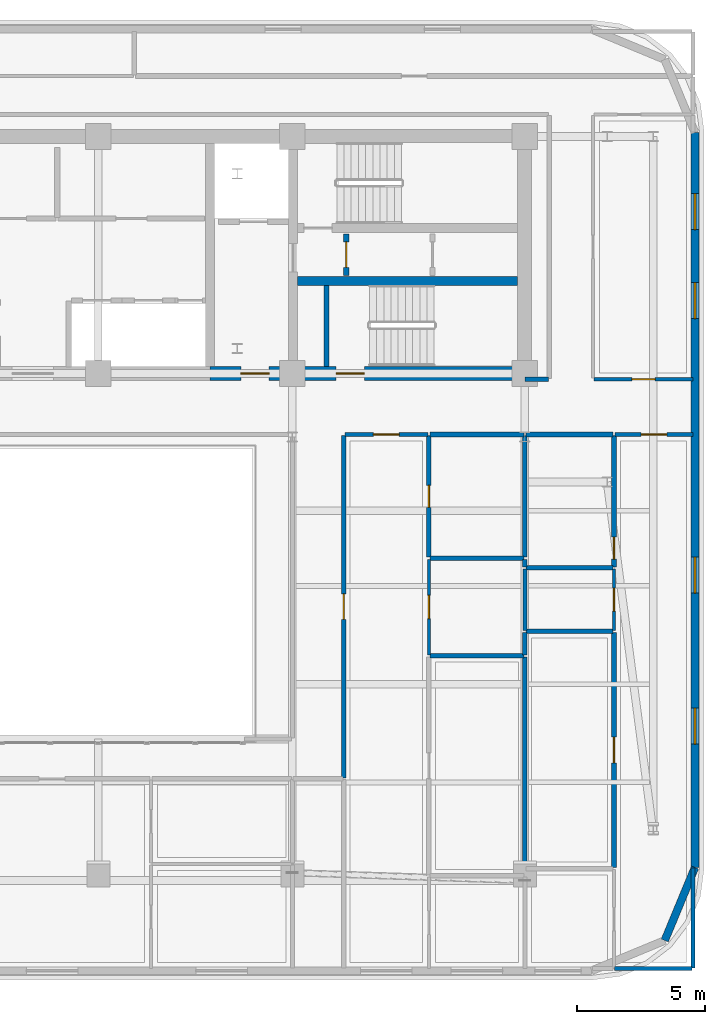
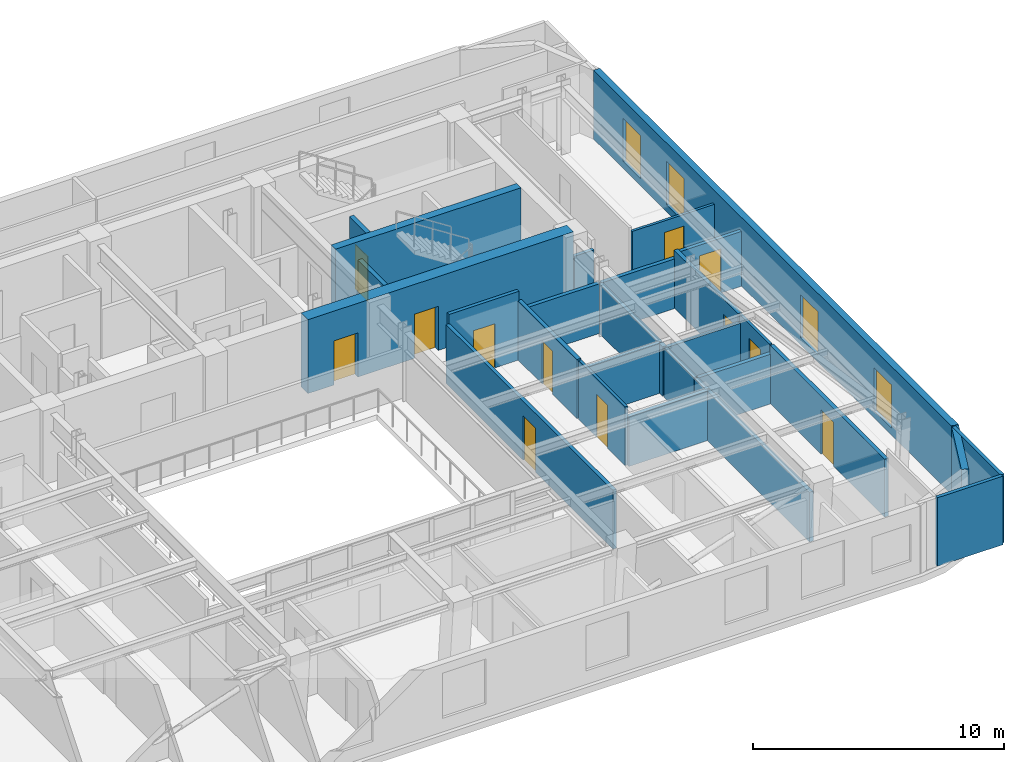
# One storey, part 9 of 15: 29 walls, 12 doors, 4 windows, 16 openings.
"""IFC4 building model written with IfcOpenShell, lengths in metres."""

from ifc_helpers import new_model, si_unit, direction, frame, frame_2d, origin, place, context, subcontext, project, spatial, rectangle, extrude, material, layer, layer_set, type_object, element, fill, save


model = new_model("IFC4")

# Units and contexts
model_context = context("Model", 3, precision=1e-05, world=origin(), true_north=direction((0.0, 1.0)))
body_context = subcontext(model_context, "Body", "Model", "MODEL_VIEW")
ifc_project = project(units=[si_unit("LENGTHUNIT", "METRE"), si_unit("AREAUNIT", "SQUARE_METRE"), si_unit("VOLUMEUNIT", "CUBIC_METRE"), si_unit("PLANEANGLEUNIT", "RADIAN"), si_unit("MASSUNIT", "GRAM", prefix="KILO")], contexts=[model_context])

# Site, building, storey
site_placement = place(None, origin())
site = spatial("IfcSite", under=ifc_project, at=site_placement, CompositionType="ELEMENT")
building_placement = place(site_placement, origin())
building = spatial("IfcBuilding", under=site, at=building_placement, Name="Zarnavel Station Tower", CompositionType="ELEMENT")
storey_placement = place(building_placement, frame((0.0, 0.0, 196.800048828125)))
storey = spatial("IfcBuildingStorey", under=building, at=storey_placement, Name="L53", CompositionType="ELEMENT", Elevation=196.800048828125)

# Wall
ifc_material_1 = material(Name="Concrete C50/60", Category="concrete")
ifc_layer_1 = layer(ifc_material_1, 0.35009765625)
ifc_layer_set_1 = layer_set([ifc_layer_1], Name="CW_350")
wall_type_1 = type_object("IfcWallType", Name="CW_350", PredefinedType="SHEAR", material=ifc_layer_set_1)
wall_1_placement = place(storey_placement, frame((36.554931640625, 31.419921875, 0.0), z_axis=(0.0, 0.0, 1.0), x_axis=(1.0, 0.0, 0.0)))
element("IfcWall", 1, at=wall_1_placement, inside=storey, type_object=wall_type_1, Name="L53 Rear Core Shear Wall DIV-H3", PredefinedType="SHEAR", context=body_context, shape_type="SweptSolid", body=[
    extrude(rectangle(XDim=8.550048828125, YDim=0.35009765625, at=frame_2d((4.27490234375, 0.0))), origin(), (0.0, 0.0, 1.0), 3.599853515625),
])

# Wall, openings, doors
ifc_material_2 = material(Name="Concrete C50/60", Category="concrete")
ifc_layer_2 = layer(ifc_material_2, 0.550048828125)
ifc_layer_set_2 = layer_set([ifc_layer_2], Name="CW_550")
wall_type_2 = type_object("IfcWallType", Name="CW_550", PredefinedType="SHEAR", material=ifc_layer_set_2)
wall_2_placement = place(storey_placement, frame((45.3798828125, 27.820068359375, 0.0), z_axis=(0.0, 0.0, 1.0), x_axis=(-1.0, 0.0, 0.0)))
wall_2 = element("IfcWall", 2, at=wall_2_placement, inside=storey, type_object=wall_type_2, Name="L53 Rear Core Shear Wall S-E", PredefinedType="SHEAR", context=body_context, shape_type="SweptSolid", body=[
    extrude(rectangle(XDim=12.22998046875, YDim=0.550048828125, at=frame_2d((6.114990234375, 0.0))), origin(), (0.0, 0.0, 1.0), 3.599853515625),
])
opening_1_placement = place(wall_2_placement, frame((9.929931640625, 0.0, 0.0)))
opening_1 = element("IfcOpeningElement", 3, at=opening_1_placement, cuts=wall_2, Name="Opening FD01", PredefinedType="OPENING", context=body_context, shape_type="SweptSolid", body=[
    extrude(rectangle(XDim=1.10009765625, YDim=2.14990234375, at=frame_2d((0.550048828125, 1.074951171875))), frame((0.0, 0.284912109375, 0.0), z_axis=(0.0, -1.0, 0.0), x_axis=(1.0, 0.0, 0.0)), (0.0, 0.0, 1.0), 0.570068359375),
])
opening_2_placement = place(wall_2_placement, frame((6.22998046875, 0.0, 0.0)))
opening_2 = element("IfcOpeningElement", 4, at=opening_2_placement, cuts=wall_2, Name="Opening FD01", PredefinedType="OPENING", context=body_context, shape_type="SweptSolid", body=[
    extrude(rectangle(XDim=1.10009765625, YDim=2.14990234375, at=frame_2d((0.550048828125, 1.074951171875))), frame((0.0, 0.284912109375, 0.0), z_axis=(0.0, -1.0, 0.0), x_axis=(1.0, 0.0, 0.0)), (0.0, 0.0, 1.0), 0.570068359375),
])
ifc_material_3 = material(Name="Painted Galvanised Steel and Hardwood Leaf", Category="steel")
door_type_1 = type_object("IfcDoorType", Name="ID_STAIR_1100", OperationType="NOTDEFINED", PredefinedType="DOOR", material=ifc_material_3)
door_1_placement = place(opening_1_placement, origin())
door_1 = element("IfcDoor", 5, at=door_1_placement, inside=storey, type_object=door_type_1, Name="L53 East Firefighting Lobby Door", OperationType="SINGLE_SWING_LEFT", OverallHeight=2.14990234375, OverallWidth=1.10009765625, PredefinedType="DOOR", context=body_context, shape_type="SweptSolid", body=[
    extrude(rectangle(XDim=1.10009765625, YDim=2.14990234375, at=frame_2d((0.550048828125, 1.074951171875))), frame((0.0, 0.02490234375, 0.0), z_axis=(0.0, -1.0, 0.0), x_axis=(1.0, 0.0, 0.0)), (0.0, 0.0, 1.0), 0.050048828125),
])
fill(opening_1, door_1)
door_2_placement = place(opening_2_placement, origin())
door_2 = element("IfcDoor", 6, at=door_2_placement, inside=storey, type_object=door_type_1, Name="L53 Stair ST3 Corridor Fire Door", OperationType="SINGLE_SWING_RIGHT", OverallHeight=2.14990234375, OverallWidth=1.10009765625, PredefinedType="DOOR", context=body_context, shape_type="SweptSolid", body=[
    extrude(rectangle(XDim=1.10009765625, YDim=2.14990234375, at=frame_2d((0.550048828125, 1.074951171875))), frame((0.0, 0.02490234375, 0.0), z_axis=(0.0, -1.0, 0.0), x_axis=(1.0, 0.0, 0.0)), (0.0, 0.0, 1.0), 0.050048828125),
])
fill(opening_2, door_2)

# Wall
ifc_material_4 = material(Name="Precast concrete C45/55 (Dark Basalt Finish)", Category="masonry")
ifc_layer_3 = layer(ifc_material_4, 0.300048828125)
ifc_layer_set_3 = layer_set([ifc_layer_3], Name="EW_BASALT_300")
wall_type_3 = type_object("IfcWallType", Name="EW_BASALT_300", PredefinedType="SOLIDWALL", material=ifc_layer_set_3)
wall_3_placement = place(storey_placement, frame((52.02001953125, 8.60009765625, 0.0), z_axis=(0.0, 0.0, 1.0), x_axis=(-0.382676475685, -0.923882414032, 0.0)))
element("IfcWall", 7, at=wall_3_placement, inside=storey, type_object=wall_type_3, Name="L53 Exterior Basalt Masonry Frame Wall 02", PredefinedType="SOLIDWALL", context=body_context, shape_type="SweptSolid", body=[
    extrude(rectangle(XDim=3.076904296875, YDim=0.300048828125, at=frame_2d((1.53857421875, 0.0))), origin(), (0.0, 0.0, 1.0), 3.33984375),
])

# Wall, openings, windows
wall_4_placement = place(storey_placement, frame((52.02001953125, 37.199951171875, 0.0), z_axis=(0.0, 0.0, 1.0), x_axis=(0.0, -1.0, 0.0)))
wall_4 = element("IfcWall", 8, at=wall_4_placement, inside=storey, type_object=wall_type_3, Name="L53 Exterior Basalt Masonry Frame Wall 03", PredefinedType="SOLIDWALL", context=body_context, shape_type="SweptSolid", body=[
    extrude(rectangle(XDim=28.599853515625, YDim=0.300048828125, at=frame_2d((14.2998046875, 0.0))), origin(), (0.0, 0.0, 1.0), 3.33984375),
])
opening_3_placement = place(wall_4_placement, frame((2.3798828125, 0.0, 0.340087890625)))
opening_3 = element("IfcOpeningElement", 9, at=opening_3_placement, cuts=wall_4, Name="Opening WN04", PredefinedType="OPENING", context=body_context, shape_type="SweptSolid", body=[
    extrude(rectangle(XDim=1.39990234375, YDim=2.10009765625, at=frame_2d((0.699951171875, 1.050048828125))), frame((0.0, 0.159912109375, 0.0), z_axis=(0.0, -1.0, 0.0), x_axis=(1.0, 0.0, 0.0)), (0.0, 0.0, 1.0), 0.320068359375),
])
opening_4_placement = place(wall_4_placement, frame((5.840087890625, 0.0, 0.340087890625)))
opening_4 = element("IfcOpeningElement", 10, at=opening_4_placement, cuts=wall_4, Name="Opening WN04", PredefinedType="OPENING", context=body_context, shape_type="SweptSolid", body=[
    extrude(rectangle(XDim=1.39990234375, YDim=2.10009765625, at=frame_2d((0.699951171875, 1.050048828125))), frame((0.0, 0.159912109375, 0.0), z_axis=(0.0, -1.0, 0.0), x_axis=(1.0, 0.0, 0.0)), (0.0, 0.0, 1.0), 0.320068359375),
])
opening_5_placement = place(wall_4_placement, frame((16.526611328125, 0.0, 0.340087890625)))
opening_5 = element("IfcOpeningElement", 11, at=opening_5_placement, cuts=wall_4, Name="Opening WN04", PredefinedType="OPENING", context=body_context, shape_type="SweptSolid", body=[
    extrude(rectangle(XDim=1.39990234375, YDim=2.10009765625, at=frame_2d((0.699951171875, 1.050048828125))), frame((0.0, 0.159912109375, 0.0), z_axis=(0.0, -1.0, 0.0), x_axis=(1.0, 0.0, 0.0)), (0.0, 0.0, 1.0), 0.320068359375),
])
opening_6_placement = place(wall_4_placement, frame((22.4033203125, 0.0, 0.340087890625)))
opening_6 = element("IfcOpeningElement", 12, at=opening_6_placement, cuts=wall_4, Name="Opening WN04", PredefinedType="OPENING", context=body_context, shape_type="SweptSolid", body=[
    extrude(rectangle(XDim=1.39990234375, YDim=2.10009765625, at=frame_2d((0.699951171875, 1.050048828125))), frame((0.0, 0.159912109375, 0.0), z_axis=(0.0, -1.0, 0.0), x_axis=(1.0, 0.0, 0.0)), (0.0, 0.0, 1.0), 0.320068359375),
])
ifc_material_5 = material(Name="Thermally Broken Black Aluminium and Low-E Dark Glass", Category="aluminium")
window_type = type_object("IfcWindowType", Name="WN_1400x2100", PartitioningType="DOUBLE_PANEL_VERTICAL", PredefinedType="WINDOW", material=ifc_material_5)
window_1_placement = place(opening_3_placement, origin())
window_1 = element("IfcWindow", 13, at=window_1_placement, inside=storey, type_object=window_type, Name="L53 Recessed Facade Window 01", OverallHeight=2.10009765625, OverallWidth=1.39990234375, PartitioningType="SINGLE_PANEL", PredefinedType="WINDOW", context=body_context, shape_type="SweptSolid", body=[
    extrude(rectangle(XDim=1.39990234375, YDim=2.10009765625, at=frame_2d((0.699951171875, 1.050048828125))), frame((0.0, 0.030029296875, 0.0), z_axis=(0.0, -1.0, 0.0), x_axis=(1.0, 0.0, 0.0)), (0.0, 0.0, 1.0), 0.06005859375),
])
fill(opening_3, window_1)
window_2_placement = place(opening_4_placement, origin())
window_2 = element("IfcWindow", 14, at=window_2_placement, inside=storey, type_object=window_type, Name="L53 Recessed Facade Window 02", OverallHeight=2.10009765625, OverallWidth=1.39990234375, PartitioningType="SINGLE_PANEL", PredefinedType="WINDOW", context=body_context, shape_type="SweptSolid", body=[
    extrude(rectangle(XDim=1.39990234375, YDim=2.10009765625, at=frame_2d((0.699951171875, 1.050048828125))), frame((0.0, 0.030029296875, 0.0), z_axis=(0.0, -1.0, 0.0), x_axis=(1.0, 0.0, 0.0)), (0.0, 0.0, 1.0), 0.06005859375),
])
fill(opening_4, window_2)
window_3_placement = place(opening_5_placement, origin())
window_3 = element("IfcWindow", 15, at=window_3_placement, inside=storey, type_object=window_type, Name="L53 Recessed Facade Window 03", OverallHeight=2.10009765625, OverallWidth=1.39990234375, PartitioningType="SINGLE_PANEL", PredefinedType="WINDOW", context=body_context, shape_type="SweptSolid", body=[
    extrude(rectangle(XDim=1.39990234375, YDim=2.10009765625, at=frame_2d((0.699951171875, 1.050048828125))), frame((0.0, 0.030029296875, 0.0), z_axis=(0.0, -1.0, 0.0), x_axis=(1.0, 0.0, 0.0)), (0.0, 0.0, 1.0), 0.06005859375),
])
fill(opening_5, window_3)
window_4_placement = place(opening_6_placement, origin())
window_4 = element("IfcWindow", 16, at=window_4_placement, inside=storey, type_object=window_type, Name="L53 Recessed Facade Window 04", OverallHeight=2.10009765625, OverallWidth=1.39990234375, PartitioningType="SINGLE_PANEL", PredefinedType="WINDOW", context=body_context, shape_type="SweptSolid", body=[
    extrude(rectangle(XDim=1.39990234375, YDim=2.10009765625, at=frame_2d((0.699951171875, 1.050048828125))), frame((0.0, 0.030029296875, 0.0), z_axis=(0.0, -1.0, 0.0), x_axis=(1.0, 0.0, 0.0)), (0.0, 0.0, 1.0), 0.06005859375),
])
fill(opening_6, window_4)

# Wall, opening, door
ifc_material_6 = material(Name="Gypsum Twin-Stud Acoustic Fire Partition", Category="concrete")
ifc_layer_4 = layer(ifc_material_6, 0.159912109375)
ifc_layer_set_4 = layer_set([ifc_layer_4], Name="PT_DEMISE_160")
wall_type_4 = type_object("IfcWallType", Name="PT_DEMISE_160", PredefinedType="PARTITIONING", material=ifc_layer_set_4)
wall_5_placement = place(storey_placement, frame((38.389892578125, 25.449951171875, 0.0), z_axis=(0.0, 0.0, 1.0), x_axis=(1.0, 0.0, 0.0)))
wall_5 = element("IfcWall", 17, at=wall_5_placement, inside=storey, type_object=wall_type_4, Name="L53 Partition COR-S-UE1LV", PredefinedType="PARTITIONING", context=body_context, shape_type="SweptSolid", body=[
    extrude(rectangle(XDim=3.233154296875, YDim=0.159912109375, at=frame_2d((1.61669921875, 0.0))), origin(), (0.0, 0.0, 1.0), 3.33984375),
])
opening_7_placement = place(wall_5_placement, frame((1.116455078125, 0.0, 0.0)))
opening_7 = element("IfcOpeningElement", 18, at=opening_7_placement, cuts=wall_5, Name="Opening FD02", PredefinedType="OPENING", context=body_context, shape_type="SweptSolid", body=[
    extrude(rectangle(XDim=1.0, YDim=2.14990234375, at=frame_2d((0.5, 1.074951171875))), frame((0.0, 0.08984375, 0.0), z_axis=(0.0, -1.0, 0.0), x_axis=(1.0, 0.0, 0.0)), (0.0, 0.0, 1.0), 0.179931640625),
])
ifc_material_7 = material(Name="Painted Galvanised Steel and Hardwood Leaf", Category="steel")
door_type_2 = type_object("IfcDoorType", Name="ID_ENTRY_1000", OperationType="NOTDEFINED", PredefinedType="DOOR", material=ifc_material_7)
door_3_placement = place(opening_7_placement, origin())
door_3 = element("IfcDoor", 19, at=door_3_placement, inside=storey, type_object=door_type_2, Name="L53 Door COR-S-UE1LV", OperationType="SINGLE_SWING_RIGHT", OverallHeight=2.14990234375, OverallWidth=1.0, PredefinedType="DOOR", context=body_context, shape_type="SweptSolid", body=[
    extrude(rectangle(XDim=1.0, YDim=2.14990234375, at=frame_2d((0.5, 1.074951171875))), frame((0.0, 0.02490234375, 0.0), z_axis=(0.0, -1.0, 0.0), x_axis=(1.0, 0.0, 0.0)), (0.0, 0.0, 1.0), 0.050048828125),
])
fill(opening_7, door_3)

wall_6_placement = place(storey_placement, frame((48.906005859375, 25.449951171875, 0.0), z_axis=(0.0, 0.0, 1.0), x_axis=(1.0, 0.0, 0.0)))
wall_6 = element("IfcWall", 20, at=wall_6_placement, inside=storey, type_object=wall_type_4, Name="L53 Partition COR-S-UE2LV", PredefinedType="PARTITIONING", context=body_context, shape_type="SweptSolid", body=[
    extrude(rectangle(XDim=3.033935546875, YDim=0.159912109375, at=frame_2d((1.51708984375, 0.0))), origin(), (0.0, 0.0, 1.0), 2.669921875),
])
opening_8_placement = place(wall_6_placement, frame((1.01708984375, 0.0, 0.0)))
opening_8 = element("IfcOpeningElement", 21, at=opening_8_placement, cuts=wall_6, Name="Opening FD02", PredefinedType="OPENING", context=body_context, shape_type="SweptSolid", body=[
    extrude(rectangle(XDim=1.0, YDim=2.14990234375, at=frame_2d((0.5, 1.074951171875))), frame((0.0, 0.08984375, 0.0), z_axis=(0.0, -1.0, 0.0), x_axis=(1.0, 0.0, 0.0)), (0.0, 0.0, 1.0), 0.179931640625),
])
door_4_placement = place(opening_8_placement, origin())
door_4 = element("IfcDoor", 22, at=door_4_placement, inside=storey, type_object=door_type_2, Name="L53 Door COR-S-UE2LV", OperationType="SINGLE_SWING_LEFT", OverallHeight=2.14990234375, OverallWidth=1.0, PredefinedType="DOOR", context=body_context, shape_type="SweptSolid", body=[
    extrude(rectangle(XDim=1.0, YDim=2.14990234375, at=frame_2d((0.5, 1.074951171875))), frame((0.0, 0.02490234375, 0.0), z_axis=(0.0, -1.0, 0.0), x_axis=(1.0, 0.0, 0.0)), (0.0, 0.0, 1.0), 0.050048828125),
])
fill(opening_8, door_4)

wall_7_placement = place(storey_placement, frame((38.35009765625, 12.090087890625, 0.0), z_axis=(0.0, 0.0, 1.0), x_axis=(0.0, 1.0, 0.0)))
wall_7 = element("IfcWall", 23, at=wall_7_placement, inside=storey, type_object=wall_type_4, Name="L53 Partition COR-AE-UE1LV", PredefinedType="PARTITIONING", context=body_context, shape_type="SweptSolid", body=[
    extrude(rectangle(XDim=13.31982421875, YDim=0.159912109375, at=frame_2d((6.659912109375, 0.0))), origin(), (0.0, 0.0, 1.0), 2.869873046875),
])
opening_9_placement = place(wall_7_placement, frame((6.159912109375, 0.0, 0.0)))
opening_9 = element("IfcOpeningElement", 24, at=opening_9_placement, cuts=wall_7, Name="Opening FD02", PredefinedType="OPENING", context=body_context, shape_type="SweptSolid", body=[
    extrude(rectangle(XDim=1.0, YDim=2.14990234375, at=frame_2d((0.5, 1.074951171875))), frame((0.0, 0.08984375, 0.0), z_axis=(0.0, -1.0, 0.0), x_axis=(1.0, 0.0, 0.0)), (0.0, 0.0, 1.0), 0.179931640625),
])
door_5_placement = place(opening_9_placement, origin())
door_5 = element("IfcDoor", 25, at=door_5_placement, inside=storey, type_object=door_type_2, Name="L53 Door COR-AE-UE1LV", OperationType="SINGLE_SWING_LEFT", OverallHeight=2.14990234375, OverallWidth=1.0, PredefinedType="DOOR", context=body_context, shape_type="SweptSolid", body=[
    extrude(rectangle(XDim=1.0, YDim=2.14990234375, at=frame_2d((0.5, 1.074951171875))), frame((0.0, 0.02490234375, 0.0), z_axis=(0.0, -1.0, 0.0), x_axis=(1.0, 0.0, 0.0)), (0.0, 0.0, 1.0), 0.050048828125),
])
fill(opening_9, door_5)

# Walls
wall_8_placement = place(storey_placement, frame((45.39990234375, 17.827880859375, 0.0), z_axis=(0.0, 0.0, 1.0), x_axis=(0.0, 1.0, 0.0)))
element("IfcWall", 26, at=wall_8_placement, inside=storey, type_object=wall_type_4, Name="L53 Partition UE1UT-UE2UT", PredefinedType="PARTITIONING", context=body_context, shape_type="SweptSolid", body=[
    extrude(rectangle(XDim=2.38916015625, YDim=0.159912109375, at=frame_2d((1.194580078125, 0.0))), origin(), (0.0, 0.0, 1.0), 2.419921875),
])
wall_9_placement = place(storey_placement, frame((45.409912109375, 27.60009765625, 0.0), z_axis=(0.0, 0.0, 1.0), x_axis=(1.0, 0.0, 0.0)))
element("IfcWall", 27, at=wall_9_placement, inside=storey, type_object=wall_type_4, Name="L53 Enclosure Wall COR-S", PredefinedType="PARTITIONING", context=body_context, shape_type="SweptSolid", body=[
    extrude(rectangle(XDim=0.91015625, YDim=0.159912109375, at=frame_2d((0.455078125, 0.0))), origin(), (0.0, 0.0, 1.0), 2.409912109375),
])
wall_10_placement = place(storey_placement, frame((48.89599609375, 4.659912109375, 0.0), z_axis=(0.0, 0.0, 1.0), x_axis=(1.0, 0.0, 0.0)))
element("IfcWall", 28, at=wall_10_placement, inside=storey, type_object=wall_type_4, Name="L53 Enclosure Wall UE2LV", PredefinedType="PARTITIONING", context=body_context, shape_type="SweptSolid", body=[
    extrude(rectangle(XDim=3.013916015625, YDim=0.159912109375, at=frame_2d((1.5068359375, 0.0))), origin(), (0.0, 0.0, 1.0), 3.33984375),
])
wall_11_placement = place(storey_placement, frame((51.93994140625, 4.68994140625, 0.0), z_axis=(0.0, 0.0, 1.0), x_axis=(0.0, 1.0, 0.0)))
element("IfcWall", 29, at=wall_11_placement, inside=storey, type_object=wall_type_4, Name="L53 Enclosure Wall UE2LV", PredefinedType="PARTITIONING", context=body_context, shape_type="SweptSolid", body=[
    extrude(rectangle(XDim=3.880126953125, YDim=0.159912109375, at=frame_2d((1.93994140625, 0.0))), origin(), (0.0, 0.0, 1.0), 3.33984375),
])

# Wall, opening, door
ifc_material_8 = material(Name="Gypsum Metal-Stud Interior Partition", Category="concrete")
ifc_layer_5 = layer(ifc_material_8, 0.1201171875)
ifc_layer_set_5 = layer_set([ifc_layer_5], Name="PT_ROOM_120")
wall_type_5 = type_object("IfcWallType", Name="PT_ROOM_120", PredefinedType="PARTITIONING", material=ifc_layer_set_5)
wall_12_placement = place(storey_placement, frame((48.090087890625, 27.60009765625, 0.0), z_axis=(0.0, 0.0, 1.0), x_axis=(1.0, 0.0, 0.0)))
wall_12 = element("IfcWall", 30, at=wall_12_placement, inside=storey, type_object=wall_type_5, Name="L53 Partition COR-S-FNE", PredefinedType="PARTITIONING", context=body_context, shape_type="SweptSolid", body=[
    extrude(rectangle(XDim=3.849853515625, YDim=0.1201171875, at=frame_2d((1.9248046875, 0.0))), origin(), (0.0, 0.0, 1.0), 2.669921875),
])
opening_10_placement = place(wall_12_placement, frame((1.47509765625, 0.0, 0.0)))
opening_10 = element("IfcOpeningElement", 31, at=opening_10_placement, cuts=wall_12, Name="Opening ID01", PredefinedType="OPENING", context=body_context, shape_type="SweptSolid", body=[
    extrude(rectangle(XDim=0.89990234375, YDim=2.10009765625, at=frame_2d((0.449951171875, 1.050048828125))), frame((0.0, 0.070068359375, 0.0), z_axis=(0.0, -1.0, 0.0), x_axis=(1.0, 0.0, 0.0)), (0.0, 0.0, 1.0), 0.14013671875),
])
ifc_material_9 = material(Name="Painted Galvanised Steel and Hardwood Leaf", Category="steel")
door_type_3 = type_object("IfcDoorType", Name="ID_ROOM_900", OperationType="NOTDEFINED", PredefinedType="DOOR", material=ifc_material_9)
door_6_placement = place(opening_10_placement, origin())
door_6 = element("IfcDoor", 32, at=door_6_placement, inside=storey, type_object=door_type_3, Name="L53 Door COR-S-FNE", OperationType="SINGLE_SWING_LEFT", OverallHeight=2.10009765625, OverallWidth=0.89990234375, PredefinedType="DOOR", context=body_context, shape_type="SweptSolid", body=[
    extrude(rectangle(XDim=0.89990234375, YDim=2.10009765625, at=frame_2d((0.449951171875, 1.050048828125))), frame((0.0, 0.02490234375, 0.0), z_axis=(0.0, -1.0, 0.0), x_axis=(1.0, 0.0, 0.0)), (0.0, 0.0, 1.0), 0.050048828125),
])
fill(opening_10, door_6)

wall_13_placement = place(storey_placement, frame((41.6630859375, 16.8759765625, 0.0), z_axis=(0.0, 0.0, 1.0), x_axis=(0.0, 1.0, 0.0)))
wall_13 = element("IfcWall", 33, at=wall_13_placement, inside=storey, type_object=wall_type_5, Name="L53 Partition UE1LV-UE1UT", PredefinedType="PARTITIONING", context=body_context, shape_type="SweptSolid", body=[
    extrude(rectangle(XDim=3.717041015625, YDim=0.1201171875, at=frame_2d((1.8583984375, 0.0))), origin(), (0.0, 0.0, 1.0), 2.869873046875),
])
opening_11_placement = place(wall_13_placement, frame((1.408447265625, 0.0, 0.0)))
opening_11 = element("IfcOpeningElement", 34, at=opening_11_placement, cuts=wall_13, Name="Opening ID01", PredefinedType="OPENING", context=body_context, shape_type="SweptSolid", body=[
    extrude(rectangle(XDim=0.89990234375, YDim=2.10009765625, at=frame_2d((0.449951171875, 1.050048828125))), frame((0.0, 0.070068359375, 0.0), z_axis=(0.0, -1.0, 0.0), x_axis=(1.0, 0.0, 0.0)), (0.0, 0.0, 1.0), 0.14013671875),
])
door_7_placement = place(opening_11_placement, origin())
door_7 = element("IfcDoor", 35, at=door_7_placement, inside=storey, type_object=door_type_3, Name="L53 Door UE1LV-UE1UT", OperationType="SINGLE_SWING_LEFT", OverallHeight=2.10009765625, OverallWidth=0.89990234375, PredefinedType="DOOR", context=body_context, shape_type="SweptSolid", body=[
    extrude(rectangle(XDim=0.89990234375, YDim=2.10009765625, at=frame_2d((0.449951171875, 1.050048828125))), frame((0.0, 0.02490234375, 0.0), z_axis=(0.0, -1.0, 0.0), x_axis=(1.0, 0.0, 0.0)), (0.0, 0.0, 1.0), 0.050048828125),
])
fill(opening_11, door_7)

wall_14_placement = place(storey_placement, frame((48.865966796875, 17.827880859375, 0.0), z_axis=(0.0, 0.0, 1.0), x_axis=(0.0, 1.0, 0.0)))
wall_14 = element("IfcWall", 36, at=wall_14_placement, inside=storey, type_object=wall_type_5, Name="L53 Partition UE2LV-UE2UT", PredefinedType="PARTITIONING", context=body_context, shape_type="SweptSolid", body=[
    extrude(rectangle(XDim=2.38916015625, YDim=0.1201171875, at=frame_2d((1.194580078125, 0.0))), origin(), (0.0, 0.0, 1.0), 2.820068359375),
])
opening_12_placement = place(wall_14_placement, frame((0.744384765625, 0.0, 0.0)))
opening_12 = element("IfcOpeningElement", 37, at=opening_12_placement, cuts=wall_14, Name="Opening ID01", PredefinedType="OPENING", context=body_context, shape_type="SweptSolid", body=[
    extrude(rectangle(XDim=0.89990234375, YDim=2.10009765625, at=frame_2d((0.449951171875, 1.050048828125))), frame((0.0, 0.070068359375, 0.0), z_axis=(0.0, -1.0, 0.0), x_axis=(1.0, 0.0, 0.0)), (0.0, 0.0, 1.0), 0.14013671875),
])
door_8_placement = place(opening_12_placement, origin())
door_8 = element("IfcDoor", 38, at=door_8_placement, inside=storey, type_object=door_type_3, Name="L53 Door UE2LV-UE2UT", OperationType="SINGLE_SWING_LEFT", OverallHeight=2.10009765625, OverallWidth=0.89990234375, PredefinedType="DOOR", context=body_context, shape_type="SweptSolid", body=[
    extrude(rectangle(XDim=0.89990234375, YDim=2.10009765625, at=frame_2d((0.449951171875, 1.050048828125))), frame((0.0, 0.02490234375, 0.0), z_axis=(0.0, -1.0, 0.0), x_axis=(1.0, 0.0, 0.0)), (0.0, 0.0, 1.0), 0.050048828125),
])
fill(opening_12, door_8)

# Wall
ifc_material_10 = material(Name="Precast concrete C45/55 (Fire Shaft Blockwork)", Category="masonry")
ifc_layer_6 = layer(ifc_material_10, 0.199951171875)
ifc_layer_set_6 = layer_set([ifc_layer_6], Name="PT_SHAFT_200")
wall_type_6 = type_object("IfcWallType", Name="PT_SHAFT_200", PredefinedType="PARTITIONING", material=ifc_layer_set_6)
wall_15_placement = place(storey_placement, frame((37.679931640625, 28.094970703125, 0.0), z_axis=(0.0, 0.0, 1.0), x_axis=(0.0, 1.0, 0.0)))
element("IfcWall", 39, at=wall_15_placement, inside=storey, type_object=wall_type_6, Name="L53 Stair ST3 West Shaft Wall", PredefinedType="PARTITIONING", context=body_context, shape_type="SweptSolid", body=[
    extrude(rectangle(XDim=3.155029296875, YDim=0.199951171875, at=frame_2d((1.57763671875, 0.0))), origin(), (0.0, 0.0, 1.0), 2.719970703125),
])

# Wall, opening, door
wall_16_placement = place(storey_placement, frame((38.449951171875, 31.639892578125, 0.0), z_axis=(0.0, 0.0, 1.0), x_axis=(0.0, 1.0, 0.0)))
wall_16 = element("IfcWall", 40, at=wall_16_placement, inside=storey, type_object=wall_type_6, Name="L53 Partition ESTV-CEA", PredefinedType="PARTITIONING", context=body_context, shape_type="SweptSolid", body=[
    extrude(rectangle(XDim=1.6201171875, YDim=0.199951171875, at=frame_2d((0.81005859375, 0.0))), origin(), (0.0, 0.0, 1.0), 3.33984375),
])
opening_13_placement = place(wall_16_placement, frame((0.31005859375, 0.0, 0.0)))
opening_13 = element("IfcOpeningElement", 41, at=opening_13_placement, cuts=wall_16, Name="Opening FD02", PredefinedType="OPENING", context=body_context, shape_type="SweptSolid", body=[
    extrude(rectangle(XDim=1.0, YDim=2.14990234375, at=frame_2d((0.5, 1.074951171875))), frame((0.0, 0.10986328125, 0.0), z_axis=(0.0, -1.0, 0.0), x_axis=(1.0, 0.0, 0.0)), (0.0, 0.0, 1.0), 0.219970703125),
])
door_9_placement = place(opening_13_placement, origin())
door_9 = element("IfcDoor", 42, at=door_9_placement, inside=storey, type_object=door_type_2, Name="L53 Door ESTV-CEA", OperationType="SINGLE_SWING_LEFT", OverallHeight=2.14990234375, OverallWidth=1.0, PredefinedType="DOOR", context=body_context, shape_type="SweptSolid", body=[
    extrude(rectangle(XDim=1.0, YDim=2.14990234375, at=frame_2d((0.5, 1.074951171875))), frame((0.0, 0.02490234375, 0.0), z_axis=(0.0, -1.0, 0.0), x_axis=(1.0, 0.0, 0.0)), (0.0, 0.0, 1.0), 0.050048828125),
])
fill(opening_13, door_9)

# Walls
ifc_material_11 = material(Name="Moisture-Resistant Plumbing Chase Wall", Category="concrete")
ifc_layer_7 = layer(ifc_material_11, 0.179931640625)
ifc_layer_set_7 = layer_set([ifc_layer_7], Name="PW_PLUMB_180")
wall_type_7 = type_object("IfcWallType", Name="PW_PLUMB_180", PredefinedType="PLUMBINGWALL", material=ifc_layer_set_7)
wall_17_placement = place(storey_placement, frame((41.702880859375, 25.449951171875, 0.0), z_axis=(0.0, 0.0, 1.0), x_axis=(1.0, 0.0, 0.0)))
element("IfcWall", 43, at=wall_17_placement, inside=storey, type_object=wall_type_7, Name="L53 Partition COR-S-UE1BA", PredefinedType="PLUMBINGWALL", context=body_context, shape_type="SweptSolid", body=[
    extrude(rectangle(XDim=3.6572265625, YDim=0.179931640625, at=frame_2d((1.82861328125, 0.0))), origin(), (0.0, 0.0, 1.0), 2.419921875),
])
wall_18_placement = place(storey_placement, frame((45.43994140625, 25.449951171875, 0.0), z_axis=(0.0, 0.0, 1.0), x_axis=(1.0, 0.0, 0.0)))
element("IfcWall", 44, at=wall_18_placement, inside=storey, type_object=wall_type_7, Name="L53 Partition COR-S-UE2BA", PredefinedType="PLUMBINGWALL", context=body_context, shape_type="SweptSolid", body=[
    extrude(rectangle(XDim=3.385986328125, YDim=0.179931640625, at=frame_2d((1.69287109375, 0.0))), origin(), (0.0, 0.0, 1.0), 2.419921875),
])

# Wall, opening, door
wall_19_placement = place(storey_placement, frame((41.6630859375, 20.673095703125, 0.0), z_axis=(0.0, 0.0, 1.0), x_axis=(0.0, 1.0, 0.0)))
wall_19 = element("IfcWall", 45, at=wall_19_placement, inside=storey, type_object=wall_type_7, Name="L53 Partition UE1LV-UE1BA", PredefinedType="PLUMBINGWALL", context=body_context, shape_type="SweptSolid", body=[
    extrude(rectangle(XDim=4.73681640625, YDim=0.179931640625, at=frame_2d((2.368408203125, 0.0))), origin(), (0.0, 0.0, 1.0), 2.8798828125),
])
opening_14_placement = place(wall_19_placement, frame((1.943603515625, 0.0, 0.0)))
opening_14 = element("IfcOpeningElement", 46, at=opening_14_placement, cuts=wall_19, Name="Opening ID02", PredefinedType="OPENING", context=body_context, shape_type="SweptSolid", body=[
    extrude(rectangle(XDim=0.85009765625, YDim=2.10009765625, at=frame_2d((0.425048828125, 1.050048828125))), frame((0.0, 0.099853515625, 0.0), z_axis=(0.0, -1.0, 0.0), x_axis=(1.0, 0.0, 0.0)), (0.0, 0.0, 1.0), 0.199951171875),
])
ifc_material_12 = material(Name="Painted Galvanised Steel and Hardwood Leaf", Category="steel")
door_type_4 = type_object("IfcDoorType", Name="ID_BATH_850", OperationType="NOTDEFINED", PredefinedType="DOOR", material=ifc_material_12)
door_10_placement = place(opening_14_placement, origin())
door_10 = element("IfcDoor", 47, at=door_10_placement, inside=storey, type_object=door_type_4, Name="L53 Door UE1LV-UE1BA", OperationType="SINGLE_SWING_RIGHT", OverallHeight=2.10009765625, OverallWidth=0.85009765625, PredefinedType="DOOR", context=body_context, shape_type="SweptSolid", body=[
    extrude(rectangle(XDim=0.85009765625, YDim=2.10009765625, at=frame_2d((0.425048828125, 1.050048828125))), frame((0.0, 0.02490234375, 0.0), z_axis=(0.0, -1.0, 0.0), x_axis=(1.0, 0.0, 0.0)), (0.0, 0.0, 1.0), 0.050048828125),
])
fill(opening_14, door_10)

# Walls
wall_20_placement = place(storey_placement, frame((41.702880859375, 16.8359375, 0.0), z_axis=(0.0, 0.0, 1.0), x_axis=(1.0, 0.0, 0.0)))
element("IfcWall", 48, at=wall_20_placement, inside=storey, type_object=wall_type_7, Name="L53 Partition UE1KT-UE1UT", PredefinedType="PLUMBINGWALL", context=body_context, shape_type="SweptSolid", body=[
    extrude(rectangle(XDim=3.6572265625, YDim=0.179931640625, at=frame_2d((1.82861328125, 0.0))), origin(), (0.0, 0.0, 1.0), 2.419921875),
])
wall_21_placement = place(storey_placement, frame((45.39990234375, 8.594970703125, 0.0), z_axis=(0.0, 0.0, 1.0), x_axis=(0.0, 1.0, 0.0)))
element("IfcWall", 49, at=wall_21_placement, inside=storey, type_object=wall_type_7, Name="L53 Partition UE1KT-UE2KT", PredefinedType="PLUMBINGWALL", context=body_context, shape_type="SweptSolid", body=[
    extrude(rectangle(XDim=8.200927734375, YDim=0.179931640625, at=frame_2d((4.1005859375, 0.0))), origin(), (0.0, 0.0, 1.0), 2.419921875),
])
wall_22_placement = place(storey_placement, frame((41.702880859375, 20.633056640625, 0.0), z_axis=(0.0, 0.0, 1.0), x_axis=(1.0, 0.0, 0.0)))
element("IfcWall", 50, at=wall_22_placement, inside=storey, type_object=wall_type_7, Name="L53 Partition UE1UT-UE1BA", PredefinedType="PLUMBINGWALL", context=body_context, shape_type="SweptSolid", body=[
    extrude(rectangle(XDim=3.6572265625, YDim=0.179931640625, at=frame_2d((1.82861328125, 0.0))), origin(), (0.0, 0.0, 1.0), 2.419921875),
])
wall_23_placement = place(storey_placement, frame((45.39990234375, 16.8759765625, 0.0), z_axis=(0.0, 0.0, 1.0), x_axis=(0.0, 1.0, 0.0)))
element("IfcWall", 51, at=wall_23_placement, inside=storey, type_object=wall_type_7, Name="L53 Partition UE1UT-UE2KT", PredefinedType="PLUMBINGWALL", context=body_context, shape_type="SweptSolid", body=[
    extrude(rectangle(XDim=0.8720703125, YDim=0.179931640625, at=frame_2d((0.43603515625, 0.0))), origin(), (0.0, 0.0, 1.0), 2.419921875),
])
wall_24_placement = place(storey_placement, frame((45.39990234375, 20.297119140625, 0.0), z_axis=(0.0, 0.0, 1.0), x_axis=(0.0, 1.0, 0.0)))
element("IfcWall", 52, at=wall_24_placement, inside=storey, type_object=wall_type_7, Name="L53 Partition UE1UT-UE2BA", PredefinedType="PLUMBINGWALL", context=body_context, shape_type="SweptSolid", body=[
    extrude(rectangle(XDim=0.2958984375, YDim=0.179931640625, at=frame_2d((0.14794921875, 0.0))), origin(), (0.0, 0.0, 1.0), 2.419921875),
])
wall_25_placement = place(storey_placement, frame((45.39990234375, 20.673095703125, 0.0), z_axis=(0.0, 0.0, 1.0), x_axis=(0.0, 1.0, 0.0)))
element("IfcWall", 53, at=wall_25_placement, inside=storey, type_object=wall_type_7, Name="L53 Partition UE1BA-UE2BA", PredefinedType="PLUMBINGWALL", context=body_context, shape_type="SweptSolid", body=[
    extrude(rectangle(XDim=4.73681640625, YDim=0.179931640625, at=frame_2d((2.368408203125, 0.0))), origin(), (0.0, 0.0, 1.0), 2.419921875),
])

# Wall, opening, door
wall_26_placement = place(storey_placement, frame((48.865966796875, 8.594970703125, 0.0), z_axis=(0.0, 0.0, 1.0), x_axis=(0.0, 1.0, 0.0)))
wall_26 = element("IfcWall", 54, at=wall_26_placement, inside=storey, type_object=wall_type_7, Name="L53 Partition UE2LV-UE2KT", PredefinedType="PLUMBINGWALL", context=body_context, shape_type="SweptSolid", body=[
    extrude(rectangle(XDim=9.153076171875, YDim=0.179931640625, at=frame_2d((4.57666015625, 0.0))), origin(), (0.0, 0.0, 1.0), 2.820068359375),
])
opening_15_placement = place(wall_26_placement, frame((4.076416015625, 0.0, 0.0)))
opening_15 = element("IfcOpeningElement", 55, at=opening_15_placement, cuts=wall_26, Name="Opening FD02", PredefinedType="OPENING", context=body_context, shape_type="SweptSolid", body=[
    extrude(rectangle(XDim=1.0, YDim=2.14990234375, at=frame_2d((0.5, 1.074951171875))), frame((0.0, 0.099853515625, 0.0), z_axis=(0.0, -1.0, 0.0), x_axis=(1.0, 0.0, 0.0)), (0.0, 0.0, 1.0), 0.199951171875),
])
door_11_placement = place(opening_15_placement, origin())
door_11 = element("IfcDoor", 56, at=door_11_placement, inside=storey, type_object=door_type_2, Name="L53 Door UE2LV-UE2KT", OperationType="SINGLE_SWING_RIGHT", OverallHeight=2.14990234375, OverallWidth=1.0, PredefinedType="DOOR", context=body_context, shape_type="SweptSolid", body=[
    extrude(rectangle(XDim=1.0, YDim=2.14990234375, at=frame_2d((0.5, 1.074951171875))), frame((0.0, 0.02490234375, 0.0), z_axis=(0.0, -1.0, 0.0), x_axis=(1.0, 0.0, 0.0)), (0.0, 0.0, 1.0), 0.050048828125),
])
fill(opening_15, door_11)

wall_27_placement = place(storey_placement, frame((48.865966796875, 20.297119140625, 0.0), z_axis=(0.0, 0.0, 1.0), x_axis=(0.0, 1.0, 0.0)))
wall_27 = element("IfcWall", 57, at=wall_27_placement, inside=storey, type_object=wall_type_7, Name="L53 Partition UE2LV-UE2BA", PredefinedType="PLUMBINGWALL", context=body_context, shape_type="SweptSolid", body=[
    extrude(rectangle(XDim=5.11279296875, YDim=0.179931640625, at=frame_2d((2.556396484375, 0.0))), origin(), (0.0, 0.0, 1.0), 2.820068359375),
])
opening_16_placement = place(wall_27_placement, frame((0.305908203125, 0.0, 0.0)))
opening_16 = element("IfcOpeningElement", 58, at=opening_16_placement, cuts=wall_27, Name="Opening ID02", PredefinedType="OPENING", context=body_context, shape_type="SweptSolid", body=[
    extrude(rectangle(XDim=0.85009765625, YDim=2.10009765625, at=frame_2d((0.425048828125, 1.050048828125))), frame((0.0, 0.099853515625, 0.0), z_axis=(0.0, -1.0, 0.0), x_axis=(1.0, 0.0, 0.0)), (0.0, 0.0, 1.0), 0.199951171875),
])
door_12_placement = place(opening_16_placement, origin())
door_12 = element("IfcDoor", 59, at=door_12_placement, inside=storey, type_object=door_type_4, Name="L53 Door UE2LV-UE2BA", OperationType="SINGLE_SWING_RIGHT", OverallHeight=2.10009765625, OverallWidth=0.85009765625, PredefinedType="DOOR", context=body_context, shape_type="SweptSolid", body=[
    extrude(rectangle(XDim=0.85009765625, YDim=2.10009765625, at=frame_2d((0.425048828125, 1.050048828125))), frame((0.0, 0.02490234375, 0.0), z_axis=(0.0, -1.0, 0.0), x_axis=(1.0, 0.0, 0.0)), (0.0, 0.0, 1.0), 0.050048828125),
])
fill(opening_16, door_12)

# Walls
for number, where, z_axis, x_axis, name in (
    (60, (45.43994140625, 17.7880859375, 0.0), (0.0, 0.0, 1.0), (1.0, 0.0, 0.0), "L53 Partition UE2KT-UE2UT"),
    (61, (45.43994140625, 20.257080078125, 0.0), (0.0, 0.0, 1.0), (1.0, 0.0, 0.0), "L53 Partition UE2UT-UE2BA"),
):
    element("IfcWall", number, at=place(storey_placement, frame(where, z_axis=z_axis, x_axis=x_axis)), inside=storey, type_object=wall_type_7, Name=name, PredefinedType="PLUMBINGWALL", context=body_context, shape_type="SweptSolid", body=[
        extrude(rectangle(XDim=3.385986328125, YDim=0.179931640625, at=frame_2d((1.69287109375, 0.0))), origin(), (0.0, 0.0, 1.0), 2.419921875),
    ])

save(model, "model.ifc")
